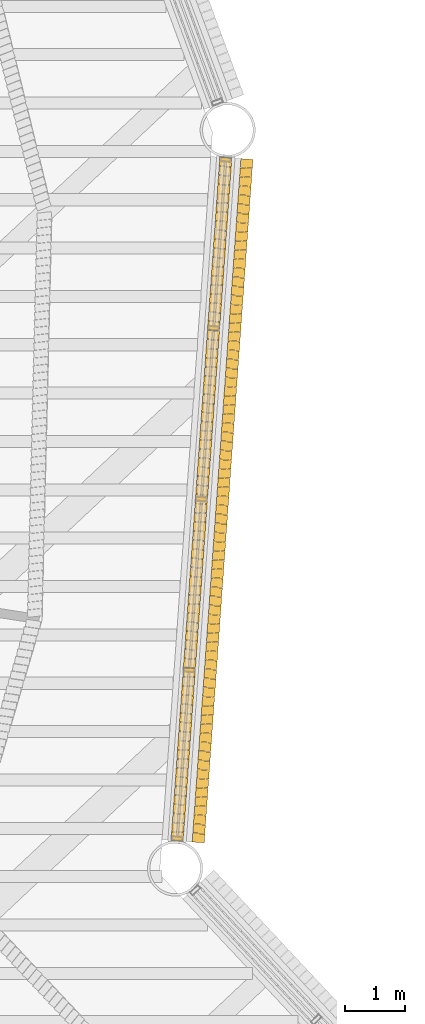
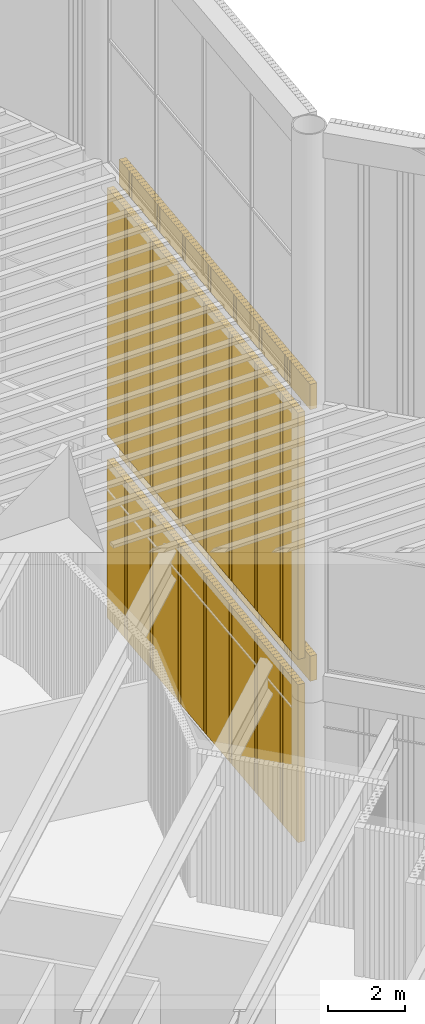
# One storey, part 112 of 117: 4 coverings.
"""IFC4 building model written with IfcOpenShell, lengths in metres."""

from ifc_helpers import new_model, si_unit, direction, frame, frame_2d, origin, place, context, subcontext, project, spatial, rectangle, composite_profile, extrude, material, type_object, element, save


model = new_model("IFC4")

# Units and contexts
model_context = context("Model", 3, precision=1e-05, world=origin(), true_north=direction((0.0, 1.0)))
body_context = subcontext(model_context, "Body", "Model", "MODEL_VIEW")
ifc_project = project(units=[si_unit("LENGTHUNIT", "METRE"), si_unit("AREAUNIT", "SQUARE_METRE"), si_unit("VOLUMEUNIT", "CUBIC_METRE"), si_unit("PLANEANGLEUNIT", "RADIAN"), si_unit("MASSUNIT", "GRAM", prefix="KILO")], contexts=[model_context])

# Site, building, storey
site_placement = place(None, origin())
site = spatial("IfcSite", under=ifc_project, at=site_placement, CompositionType="ELEMENT")
building_placement = place(site_placement, origin())
building = spatial("IfcBuilding", under=site, at=building_placement, Name="Tarsis Ring Headquarters", CompositionType="ELEMENT")
storey_placement = place(building_placement, frame((0.0, 0.0, 403.60009765625)))
storey = spatial("IfcBuildingStorey", under=building, at=storey_placement, Name="L95", CompositionType="ELEMENT", Elevation=403.60009765625)

# Coverings
ifc_material = material(Name="Terracotta louvre", Category="masonry")
covering_type = type_object("IfcCoveringType", Name="Crown louvre fin", PredefinedType="CLADDING", material=ifc_material)
covering_1_placement = place(storey_placement, frame((27.92041015625, -7.6728515625, 0.0), z_axis=(0.0, 0.0, 1.0), x_axis=(0.07114241406, 0.997458430258, 0.0)))
element("IfcCovering", 1, at=covering_1_placement, inside=storey, type_object=covering_type, Name="Crown louvre base 6", PredefinedType="CLADDING", context=body_context, shape_type="SweptSolid", body=[
    extrude(composite_profile([rectangle(XDim=0.14501953125, YDim=0.199951171875, at=frame_2d((0.072509765625, 0.0))), rectangle(XDim=0.14501953125, YDim=0.199951171875, at=frame_2d((0.2236328125, 0.0))), rectangle(XDim=0.14501953125, YDim=0.199951171875, at=frame_2d((0.375, 0.0))), rectangle(XDim=0.14501953125, YDim=0.199951171875, at=frame_2d((0.526123046875, 0.0))), rectangle(XDim=0.14501953125, YDim=0.199951171875, at=frame_2d((0.677490234375, 0.0))), rectangle(XDim=0.14501953125, YDim=0.199951171875, at=frame_2d((0.82861328125, 0.0))), rectangle(XDim=0.14501953125, YDim=0.199951171875, at=frame_2d((0.979736328125, 0.0))), rectangle(XDim=0.14501953125, YDim=0.199951171875, at=frame_2d((1.131103515625, 0.0))), rectangle(XDim=0.14501953125, YDim=0.199951171875, at=frame_2d((1.2822265625, 0.0))), rectangle(XDim=0.14501953125, YDim=0.199951171875, at=frame_2d((1.433349609375, 0.0))), rectangle(XDim=0.14501953125, YDim=0.199951171875, at=frame_2d((1.584716796875, 0.0))), rectangle(XDim=0.14501953125, YDim=0.199951171875, at=frame_2d((1.73583984375, 0.0))), rectangle(XDim=0.14501953125, YDim=0.199951171875, at=frame_2d((1.88720703125, 0.0))), rectangle(XDim=0.14501953125, YDim=0.199951171875, at=frame_2d((2.038330078125, 0.0))), rectangle(XDim=0.14501953125, YDim=0.199951171875, at=frame_2d((2.189453125, 0.0))), rectangle(XDim=0.14501953125, YDim=0.199951171875, at=frame_2d((2.3408203125, 0.0))), rectangle(XDim=0.14501953125, YDim=0.199951171875, at=frame_2d((2.491943359375, 0.0))), rectangle(XDim=0.14501953125, YDim=0.199951171875, at=frame_2d((2.64306640625, 0.0))), rectangle(XDim=0.14501953125, YDim=0.199951171875, at=frame_2d((2.79443359375, 0.0))), rectangle(XDim=0.14501953125, YDim=0.199951171875, at=frame_2d((2.945556640625, 0.0))), rectangle(XDim=0.14501953125, YDim=0.199951171875, at=frame_2d((3.096923828125, 0.0))), rectangle(XDim=0.14501953125, YDim=0.199951171875, at=frame_2d((3.248046875, 0.0))), rectangle(XDim=0.14501953125, YDim=0.199951171875, at=frame_2d((3.399169921875, 0.0))), rectangle(XDim=0.14501953125, YDim=0.199951171875, at=frame_2d((3.550537109375, 0.0))), rectangle(XDim=0.14501953125, YDim=0.199951171875, at=frame_2d((3.70166015625, 0.0))), rectangle(XDim=0.14501953125, YDim=0.199951171875, at=frame_2d((3.852783203125, 0.0))), rectangle(XDim=0.14501953125, YDim=0.199951171875, at=frame_2d((4.004150390625, 0.0))), rectangle(XDim=0.14501953125, YDim=0.199951171875, at=frame_2d((4.1552734375, 0.0))), rectangle(XDim=0.14501953125, YDim=0.199951171875, at=frame_2d((4.306640625, 0.0))), rectangle(XDim=0.14501953125, YDim=0.199951171875, at=frame_2d((4.457763671875, 0.0))), rectangle(XDim=0.14501953125, YDim=0.199951171875, at=frame_2d((4.60888671875, 0.0))), rectangle(XDim=0.14501953125, YDim=0.199951171875, at=frame_2d((4.76025390625, 0.0))), rectangle(XDim=0.14501953125, YDim=0.199951171875, at=frame_2d((4.911376953125, 0.0))), rectangle(XDim=0.14501953125, YDim=0.199951171875, at=frame_2d((5.0625, 0.0))), rectangle(XDim=0.14501953125, YDim=0.199951171875, at=frame_2d((5.2138671875, 0.0))), rectangle(XDim=0.14501953125, YDim=0.199951171875, at=frame_2d((5.364990234375, 0.0))), rectangle(XDim=0.14501953125, YDim=0.199951171875, at=frame_2d((5.516357421875, 0.0))), rectangle(XDim=0.14501953125, YDim=0.199951171875, at=frame_2d((5.66748046875, 0.0))), rectangle(XDim=0.14501953125, YDim=0.199951171875, at=frame_2d((5.818603515625, 0.0))), rectangle(XDim=0.14501953125, YDim=0.199951171875, at=frame_2d((5.969970703125, 0.0))), rectangle(XDim=0.14501953125, YDim=0.199951171875, at=frame_2d((6.12109375, 0.0))), rectangle(XDim=0.14501953125, YDim=0.199951171875, at=frame_2d((6.2724609375, 0.0))), rectangle(XDim=0.14501953125, YDim=0.199951171875, at=frame_2d((6.423583984375, 0.0))), rectangle(XDim=0.14501953125, YDim=0.199951171875, at=frame_2d((6.57470703125, 0.0))), rectangle(XDim=0.14501953125, YDim=0.199951171875, at=frame_2d((6.72607421875, 0.0))), rectangle(XDim=0.14501953125, YDim=0.199951171875, at=frame_2d((6.877197265625, 0.0))), rectangle(XDim=0.14501953125, YDim=0.199951171875, at=frame_2d((7.0283203125, 0.0))), rectangle(XDim=0.14501953125, YDim=0.199951171875, at=frame_2d((7.1796875, 0.0))), rectangle(XDim=0.14501953125, YDim=0.199951171875, at=frame_2d((7.330810546875, 0.0))), rectangle(XDim=0.14501953125, YDim=0.199951171875, at=frame_2d((7.482177734375, 0.0))), rectangle(XDim=0.14501953125, YDim=0.199951171875, at=frame_2d((7.63330078125, 0.0))), rectangle(XDim=0.14501953125, YDim=0.199951171875, at=frame_2d((7.784423828125, 0.0))), rectangle(XDim=0.14501953125, YDim=0.199951171875, at=frame_2d((7.935791015625, 0.0))), rectangle(XDim=0.14501953125, YDim=0.199951171875, at=frame_2d((8.0869140625, 0.0))), rectangle(XDim=0.14501953125, YDim=0.199951171875, at=frame_2d((8.238037109375, 0.0))), rectangle(XDim=0.14501953125, YDim=0.199951171875, at=frame_2d((8.389404296875, 0.0))), rectangle(XDim=0.14501953125, YDim=0.199951171875, at=frame_2d((8.54052734375, 0.0))), rectangle(XDim=0.14501953125, YDim=0.199951171875, at=frame_2d((8.69189453125, 0.0))), rectangle(XDim=0.14501953125, YDim=0.199951171875, at=frame_2d((8.843017578125, 0.0))), rectangle(XDim=0.14501953125, YDim=0.199951171875, at=frame_2d((8.994140625, 0.0))), rectangle(XDim=0.14501953125, YDim=0.199951171875, at=frame_2d((9.1455078125, 0.0))), rectangle(XDim=0.14501953125, YDim=0.199951171875, at=frame_2d((9.296630859375, 0.0))), rectangle(XDim=0.14501953125, YDim=0.199951171875, at=frame_2d((9.44775390625, 0.0))), rectangle(XDim=0.14501953125, YDim=0.199951171875, at=frame_2d((9.59912109375, 0.0))), rectangle(XDim=0.14501953125, YDim=0.199951171875, at=frame_2d((9.750244140625, 0.0))), rectangle(XDim=0.14501953125, YDim=0.199951171875, at=frame_2d((9.901611328125, 0.0))), rectangle(XDim=0.14501953125, YDim=0.199951171875, at=frame_2d((10.052734375, 0.0))), rectangle(XDim=0.14501953125, YDim=0.199951171875, at=frame_2d((10.203857421875, 0.0))), rectangle(XDim=0.14501953125, YDim=0.199951171875, at=frame_2d((10.355224609375, 0.0))), rectangle(XDim=0.14501953125, YDim=0.199951171875, at=frame_2d((10.50634765625, 0.0))), rectangle(XDim=0.14501953125, YDim=0.199951171875, at=frame_2d((10.657470703125, 0.0))), rectangle(XDim=0.14501953125, YDim=0.199951171875, at=frame_2d((10.808837890625, 0.0))), rectangle(XDim=0.14501953125, YDim=0.199951171875, at=frame_2d((10.9599609375, 0.0))), rectangle(XDim=0.14501953125, YDim=0.199951171875, at=frame_2d((11.111328125, 0.0))), rectangle(XDim=0.14501953125, YDim=0.199951171875, at=frame_2d((11.262451171875, 0.0)))]), origin(), (0.0, 0.0, 1.0), 5.0),
])
covering_2_placement = place(storey_placement, frame((28.26953125, -7.69775390625, 5.0), z_axis=(0.0, 0.0, 1.0), x_axis=(0.07114241406, 0.997458430258, 0.0)))
element("IfcCovering", 2, at=covering_2_placement, inside=storey, type_object=covering_type, Name="Crown louvre fascia R6", PredefinedType="CLADDING", context=body_context, shape_type="SweptSolid", body=[
    extrude(composite_profile([rectangle(XDim=0.14501953125, YDim=0.199951171875, at=frame_2d((0.072509765625, 0.0))), rectangle(XDim=0.14501953125, YDim=0.199951171875, at=frame_2d((0.2236328125, 0.0))), rectangle(XDim=0.14501953125, YDim=0.199951171875, at=frame_2d((0.375, 0.0))), rectangle(XDim=0.14501953125, YDim=0.199951171875, at=frame_2d((0.526123046875, 0.0))), rectangle(XDim=0.14501953125, YDim=0.199951171875, at=frame_2d((0.677490234375, 0.0))), rectangle(XDim=0.14501953125, YDim=0.199951171875, at=frame_2d((0.82861328125, 0.0))), rectangle(XDim=0.14501953125, YDim=0.199951171875, at=frame_2d((0.979736328125, 0.0))), rectangle(XDim=0.14501953125, YDim=0.199951171875, at=frame_2d((1.131103515625, 0.0))), rectangle(XDim=0.14501953125, YDim=0.199951171875, at=frame_2d((1.2822265625, 0.0))), rectangle(XDim=0.14501953125, YDim=0.199951171875, at=frame_2d((1.433349609375, 0.0))), rectangle(XDim=0.14501953125, YDim=0.199951171875, at=frame_2d((1.584716796875, 0.0))), rectangle(XDim=0.14501953125, YDim=0.199951171875, at=frame_2d((1.73583984375, 0.0))), rectangle(XDim=0.14501953125, YDim=0.199951171875, at=frame_2d((1.88720703125, 0.0))), rectangle(XDim=0.14501953125, YDim=0.199951171875, at=frame_2d((2.038330078125, 0.0))), rectangle(XDim=0.14501953125, YDim=0.199951171875, at=frame_2d((2.189453125, 0.0))), rectangle(XDim=0.14501953125, YDim=0.199951171875, at=frame_2d((2.3408203125, 0.0))), rectangle(XDim=0.14501953125, YDim=0.199951171875, at=frame_2d((2.491943359375, 0.0))), rectangle(XDim=0.14501953125, YDim=0.199951171875, at=frame_2d((2.64306640625, 0.0))), rectangle(XDim=0.14501953125, YDim=0.199951171875, at=frame_2d((2.79443359375, 0.0))), rectangle(XDim=0.14501953125, YDim=0.199951171875, at=frame_2d((2.945556640625, 0.0))), rectangle(XDim=0.14501953125, YDim=0.199951171875, at=frame_2d((3.096923828125, 0.0))), rectangle(XDim=0.14501953125, YDim=0.199951171875, at=frame_2d((3.248046875, 0.0))), rectangle(XDim=0.14501953125, YDim=0.199951171875, at=frame_2d((3.399169921875, 0.0))), rectangle(XDim=0.14501953125, YDim=0.199951171875, at=frame_2d((3.550537109375, 0.0))), rectangle(XDim=0.14501953125, YDim=0.199951171875, at=frame_2d((3.70166015625, 0.0))), rectangle(XDim=0.14501953125, YDim=0.199951171875, at=frame_2d((3.852783203125, 0.0))), rectangle(XDim=0.14501953125, YDim=0.199951171875, at=frame_2d((4.004150390625, 0.0))), rectangle(XDim=0.14501953125, YDim=0.199951171875, at=frame_2d((4.1552734375, 0.0))), rectangle(XDim=0.14501953125, YDim=0.199951171875, at=frame_2d((4.306640625, 0.0))), rectangle(XDim=0.14501953125, YDim=0.199951171875, at=frame_2d((4.457763671875, 0.0))), rectangle(XDim=0.14501953125, YDim=0.199951171875, at=frame_2d((4.60888671875, 0.0))), rectangle(XDim=0.14501953125, YDim=0.199951171875, at=frame_2d((4.76025390625, 0.0))), rectangle(XDim=0.14501953125, YDim=0.199951171875, at=frame_2d((4.911376953125, 0.0))), rectangle(XDim=0.14501953125, YDim=0.199951171875, at=frame_2d((5.0625, 0.0))), rectangle(XDim=0.14501953125, YDim=0.199951171875, at=frame_2d((5.2138671875, 0.0))), rectangle(XDim=0.14501953125, YDim=0.199951171875, at=frame_2d((5.364990234375, 0.0))), rectangle(XDim=0.14501953125, YDim=0.199951171875, at=frame_2d((5.516357421875, 0.0))), rectangle(XDim=0.14501953125, YDim=0.199951171875, at=frame_2d((5.66748046875, 0.0))), rectangle(XDim=0.14501953125, YDim=0.199951171875, at=frame_2d((5.818603515625, 0.0))), rectangle(XDim=0.14501953125, YDim=0.199951171875, at=frame_2d((5.969970703125, 0.0))), rectangle(XDim=0.14501953125, YDim=0.199951171875, at=frame_2d((6.12109375, 0.0))), rectangle(XDim=0.14501953125, YDim=0.199951171875, at=frame_2d((6.2724609375, 0.0))), rectangle(XDim=0.14501953125, YDim=0.199951171875, at=frame_2d((6.423583984375, 0.0))), rectangle(XDim=0.14501953125, YDim=0.199951171875, at=frame_2d((6.57470703125, 0.0))), rectangle(XDim=0.14501953125, YDim=0.199951171875, at=frame_2d((6.72607421875, 0.0))), rectangle(XDim=0.14501953125, YDim=0.199951171875, at=frame_2d((6.877197265625, 0.0))), rectangle(XDim=0.14501953125, YDim=0.199951171875, at=frame_2d((7.0283203125, 0.0))), rectangle(XDim=0.14501953125, YDim=0.199951171875, at=frame_2d((7.1796875, 0.0))), rectangle(XDim=0.14501953125, YDim=0.199951171875, at=frame_2d((7.330810546875, 0.0))), rectangle(XDim=0.14501953125, YDim=0.199951171875, at=frame_2d((7.482177734375, 0.0))), rectangle(XDim=0.14501953125, YDim=0.199951171875, at=frame_2d((7.63330078125, 0.0))), rectangle(XDim=0.14501953125, YDim=0.199951171875, at=frame_2d((7.784423828125, 0.0))), rectangle(XDim=0.14501953125, YDim=0.199951171875, at=frame_2d((7.935791015625, 0.0))), rectangle(XDim=0.14501953125, YDim=0.199951171875, at=frame_2d((8.0869140625, 0.0))), rectangle(XDim=0.14501953125, YDim=0.199951171875, at=frame_2d((8.238037109375, 0.0))), rectangle(XDim=0.14501953125, YDim=0.199951171875, at=frame_2d((8.389404296875, 0.0))), rectangle(XDim=0.14501953125, YDim=0.199951171875, at=frame_2d((8.54052734375, 0.0))), rectangle(XDim=0.14501953125, YDim=0.199951171875, at=frame_2d((8.69189453125, 0.0))), rectangle(XDim=0.14501953125, YDim=0.199951171875, at=frame_2d((8.843017578125, 0.0))), rectangle(XDim=0.14501953125, YDim=0.199951171875, at=frame_2d((8.994140625, 0.0))), rectangle(XDim=0.14501953125, YDim=0.199951171875, at=frame_2d((9.1455078125, 0.0))), rectangle(XDim=0.14501953125, YDim=0.199951171875, at=frame_2d((9.296630859375, 0.0))), rectangle(XDim=0.14501953125, YDim=0.199951171875, at=frame_2d((9.44775390625, 0.0))), rectangle(XDim=0.14501953125, YDim=0.199951171875, at=frame_2d((9.59912109375, 0.0))), rectangle(XDim=0.14501953125, YDim=0.199951171875, at=frame_2d((9.750244140625, 0.0))), rectangle(XDim=0.14501953125, YDim=0.199951171875, at=frame_2d((9.901611328125, 0.0))), rectangle(XDim=0.14501953125, YDim=0.199951171875, at=frame_2d((10.052734375, 0.0))), rectangle(XDim=0.14501953125, YDim=0.199951171875, at=frame_2d((10.203857421875, 0.0))), rectangle(XDim=0.14501953125, YDim=0.199951171875, at=frame_2d((10.355224609375, 0.0))), rectangle(XDim=0.14501953125, YDim=0.199951171875, at=frame_2d((10.50634765625, 0.0))), rectangle(XDim=0.14501953125, YDim=0.199951171875, at=frame_2d((10.657470703125, 0.0))), rectangle(XDim=0.14501953125, YDim=0.199951171875, at=frame_2d((10.808837890625, 0.0))), rectangle(XDim=0.14501953125, YDim=0.199951171875, at=frame_2d((10.9599609375, 0.0))), rectangle(XDim=0.14501953125, YDim=0.199951171875, at=frame_2d((11.111328125, 0.0))), rectangle(XDim=0.14501953125, YDim=0.199951171875, at=frame_2d((11.262451171875, 0.0)))]), origin(), (0.0, 0.0, 1.0), 0.7998046875),
])
covering_3_placement = place(storey_placement, frame((28.26953125, -7.69775390625, 13.599853515625), z_axis=(0.0, 0.0, 1.0), x_axis=(0.07114241406, 0.997458430258, 0.0)))
element("IfcCovering", 3, at=covering_3_placement, inside=storey, type_object=covering_type, Name="Crown louvre fascia M6", PredefinedType="CLADDING", context=body_context, shape_type="SweptSolid", body=[
    extrude(composite_profile([rectangle(XDim=0.14501953125, YDim=0.199951171875, at=frame_2d((0.072509765625, 0.0))), rectangle(XDim=0.14501953125, YDim=0.199951171875, at=frame_2d((0.2236328125, 0.0))), rectangle(XDim=0.14501953125, YDim=0.199951171875, at=frame_2d((0.375, 0.0))), rectangle(XDim=0.14501953125, YDim=0.199951171875, at=frame_2d((0.526123046875, 0.0))), rectangle(XDim=0.14501953125, YDim=0.199951171875, at=frame_2d((0.677490234375, 0.0))), rectangle(XDim=0.14501953125, YDim=0.199951171875, at=frame_2d((0.82861328125, 0.0))), rectangle(XDim=0.14501953125, YDim=0.199951171875, at=frame_2d((0.979736328125, 0.0))), rectangle(XDim=0.14501953125, YDim=0.199951171875, at=frame_2d((1.131103515625, 0.0))), rectangle(XDim=0.14501953125, YDim=0.199951171875, at=frame_2d((1.2822265625, 0.0))), rectangle(XDim=0.14501953125, YDim=0.199951171875, at=frame_2d((1.433349609375, 0.0))), rectangle(XDim=0.14501953125, YDim=0.199951171875, at=frame_2d((1.584716796875, 0.0))), rectangle(XDim=0.14501953125, YDim=0.199951171875, at=frame_2d((1.73583984375, 0.0))), rectangle(XDim=0.14501953125, YDim=0.199951171875, at=frame_2d((1.88720703125, 0.0))), rectangle(XDim=0.14501953125, YDim=0.199951171875, at=frame_2d((2.038330078125, 0.0))), rectangle(XDim=0.14501953125, YDim=0.199951171875, at=frame_2d((2.189453125, 0.0))), rectangle(XDim=0.14501953125, YDim=0.199951171875, at=frame_2d((2.3408203125, 0.0))), rectangle(XDim=0.14501953125, YDim=0.199951171875, at=frame_2d((2.491943359375, 0.0))), rectangle(XDim=0.14501953125, YDim=0.199951171875, at=frame_2d((2.64306640625, 0.0))), rectangle(XDim=0.14501953125, YDim=0.199951171875, at=frame_2d((2.79443359375, 0.0))), rectangle(XDim=0.14501953125, YDim=0.199951171875, at=frame_2d((2.945556640625, 0.0))), rectangle(XDim=0.14501953125, YDim=0.199951171875, at=frame_2d((3.096923828125, 0.0))), rectangle(XDim=0.14501953125, YDim=0.199951171875, at=frame_2d((3.248046875, 0.0))), rectangle(XDim=0.14501953125, YDim=0.199951171875, at=frame_2d((3.399169921875, 0.0))), rectangle(XDim=0.14501953125, YDim=0.199951171875, at=frame_2d((3.550537109375, 0.0))), rectangle(XDim=0.14501953125, YDim=0.199951171875, at=frame_2d((3.70166015625, 0.0))), rectangle(XDim=0.14501953125, YDim=0.199951171875, at=frame_2d((3.852783203125, 0.0))), rectangle(XDim=0.14501953125, YDim=0.199951171875, at=frame_2d((4.004150390625, 0.0))), rectangle(XDim=0.14501953125, YDim=0.199951171875, at=frame_2d((4.1552734375, 0.0))), rectangle(XDim=0.14501953125, YDim=0.199951171875, at=frame_2d((4.306640625, 0.0))), rectangle(XDim=0.14501953125, YDim=0.199951171875, at=frame_2d((4.457763671875, 0.0))), rectangle(XDim=0.14501953125, YDim=0.199951171875, at=frame_2d((4.60888671875, 0.0))), rectangle(XDim=0.14501953125, YDim=0.199951171875, at=frame_2d((4.76025390625, 0.0))), rectangle(XDim=0.14501953125, YDim=0.199951171875, at=frame_2d((4.911376953125, 0.0))), rectangle(XDim=0.14501953125, YDim=0.199951171875, at=frame_2d((5.0625, 0.0))), rectangle(XDim=0.14501953125, YDim=0.199951171875, at=frame_2d((5.2138671875, 0.0))), rectangle(XDim=0.14501953125, YDim=0.199951171875, at=frame_2d((5.364990234375, 0.0))), rectangle(XDim=0.14501953125, YDim=0.199951171875, at=frame_2d((5.516357421875, 0.0))), rectangle(XDim=0.14501953125, YDim=0.199951171875, at=frame_2d((5.66748046875, 0.0))), rectangle(XDim=0.14501953125, YDim=0.199951171875, at=frame_2d((5.818603515625, 0.0))), rectangle(XDim=0.14501953125, YDim=0.199951171875, at=frame_2d((5.969970703125, 0.0))), rectangle(XDim=0.14501953125, YDim=0.199951171875, at=frame_2d((6.12109375, 0.0))), rectangle(XDim=0.14501953125, YDim=0.199951171875, at=frame_2d((6.2724609375, 0.0))), rectangle(XDim=0.14501953125, YDim=0.199951171875, at=frame_2d((6.423583984375, 0.0))), rectangle(XDim=0.14501953125, YDim=0.199951171875, at=frame_2d((6.57470703125, 0.0))), rectangle(XDim=0.14501953125, YDim=0.199951171875, at=frame_2d((6.72607421875, 0.0))), rectangle(XDim=0.14501953125, YDim=0.199951171875, at=frame_2d((6.877197265625, 0.0))), rectangle(XDim=0.14501953125, YDim=0.199951171875, at=frame_2d((7.0283203125, 0.0))), rectangle(XDim=0.14501953125, YDim=0.199951171875, at=frame_2d((7.1796875, 0.0))), rectangle(XDim=0.14501953125, YDim=0.199951171875, at=frame_2d((7.330810546875, 0.0))), rectangle(XDim=0.14501953125, YDim=0.199951171875, at=frame_2d((7.482177734375, 0.0))), rectangle(XDim=0.14501953125, YDim=0.199951171875, at=frame_2d((7.63330078125, 0.0))), rectangle(XDim=0.14501953125, YDim=0.199951171875, at=frame_2d((7.784423828125, 0.0))), rectangle(XDim=0.14501953125, YDim=0.199951171875, at=frame_2d((7.935791015625, 0.0))), rectangle(XDim=0.14501953125, YDim=0.199951171875, at=frame_2d((8.0869140625, 0.0))), rectangle(XDim=0.14501953125, YDim=0.199951171875, at=frame_2d((8.238037109375, 0.0))), rectangle(XDim=0.14501953125, YDim=0.199951171875, at=frame_2d((8.389404296875, 0.0))), rectangle(XDim=0.14501953125, YDim=0.199951171875, at=frame_2d((8.54052734375, 0.0))), rectangle(XDim=0.14501953125, YDim=0.199951171875, at=frame_2d((8.69189453125, 0.0))), rectangle(XDim=0.14501953125, YDim=0.199951171875, at=frame_2d((8.843017578125, 0.0))), rectangle(XDim=0.14501953125, YDim=0.199951171875, at=frame_2d((8.994140625, 0.0))), rectangle(XDim=0.14501953125, YDim=0.199951171875, at=frame_2d((9.1455078125, 0.0))), rectangle(XDim=0.14501953125, YDim=0.199951171875, at=frame_2d((9.296630859375, 0.0))), rectangle(XDim=0.14501953125, YDim=0.199951171875, at=frame_2d((9.44775390625, 0.0))), rectangle(XDim=0.14501953125, YDim=0.199951171875, at=frame_2d((9.59912109375, 0.0))), rectangle(XDim=0.14501953125, YDim=0.199951171875, at=frame_2d((9.750244140625, 0.0))), rectangle(XDim=0.14501953125, YDim=0.199951171875, at=frame_2d((9.901611328125, 0.0))), rectangle(XDim=0.14501953125, YDim=0.199951171875, at=frame_2d((10.052734375, 0.0))), rectangle(XDim=0.14501953125, YDim=0.199951171875, at=frame_2d((10.203857421875, 0.0))), rectangle(XDim=0.14501953125, YDim=0.199951171875, at=frame_2d((10.355224609375, 0.0))), rectangle(XDim=0.14501953125, YDim=0.199951171875, at=frame_2d((10.50634765625, 0.0))), rectangle(XDim=0.14501953125, YDim=0.199951171875, at=frame_2d((10.657470703125, 0.0))), rectangle(XDim=0.14501953125, YDim=0.199951171875, at=frame_2d((10.808837890625, 0.0))), rectangle(XDim=0.14501953125, YDim=0.199951171875, at=frame_2d((10.9599609375, 0.0))), rectangle(XDim=0.14501953125, YDim=0.199951171875, at=frame_2d((11.111328125, 0.0))), rectangle(XDim=0.14501953125, YDim=0.199951171875, at=frame_2d((11.262451171875, 0.0)))]), origin(), (0.0, 0.0, 1.0), 0.800048828125),
])
covering_4_placement = place(storey_placement, frame((27.92041015625, -7.6728515625, 5.7998046875), z_axis=(0.0, 0.0, 1.0), x_axis=(0.07114241406, 0.997458430258, 0.0)))
element("IfcCovering", 4, at=covering_4_placement, inside=storey, type_object=covering_type, Name="Crown louvre L6", PredefinedType="CLADDING", context=body_context, shape_type="SweptSolid", body=[
    extrude(composite_profile([rectangle(XDim=0.14501953125, YDim=0.199951171875, at=frame_2d((0.072509765625, 0.0))), rectangle(XDim=0.14501953125, YDim=0.199951171875, at=frame_2d((0.2236328125, 0.0))), rectangle(XDim=0.14501953125, YDim=0.199951171875, at=frame_2d((0.375, 0.0))), rectangle(XDim=0.14501953125, YDim=0.199951171875, at=frame_2d((0.526123046875, 0.0))), rectangle(XDim=0.14501953125, YDim=0.199951171875, at=frame_2d((0.677490234375, 0.0))), rectangle(XDim=0.14501953125, YDim=0.199951171875, at=frame_2d((0.82861328125, 0.0))), rectangle(XDim=0.14501953125, YDim=0.199951171875, at=frame_2d((0.979736328125, 0.0))), rectangle(XDim=0.14501953125, YDim=0.199951171875, at=frame_2d((1.131103515625, 0.0))), rectangle(XDim=0.14501953125, YDim=0.199951171875, at=frame_2d((1.2822265625, 0.0))), rectangle(XDim=0.14501953125, YDim=0.199951171875, at=frame_2d((1.433349609375, 0.0))), rectangle(XDim=0.14501953125, YDim=0.199951171875, at=frame_2d((1.584716796875, 0.0))), rectangle(XDim=0.14501953125, YDim=0.199951171875, at=frame_2d((1.73583984375, 0.0))), rectangle(XDim=0.14501953125, YDim=0.199951171875, at=frame_2d((1.88720703125, 0.0))), rectangle(XDim=0.14501953125, YDim=0.199951171875, at=frame_2d((2.038330078125, 0.0))), rectangle(XDim=0.14501953125, YDim=0.199951171875, at=frame_2d((2.189453125, 0.0))), rectangle(XDim=0.14501953125, YDim=0.199951171875, at=frame_2d((2.3408203125, 0.0))), rectangle(XDim=0.14501953125, YDim=0.199951171875, at=frame_2d((2.491943359375, 0.0))), rectangle(XDim=0.14501953125, YDim=0.199951171875, at=frame_2d((2.64306640625, 0.0))), rectangle(XDim=0.14501953125, YDim=0.199951171875, at=frame_2d((2.79443359375, 0.0))), rectangle(XDim=0.14501953125, YDim=0.199951171875, at=frame_2d((2.945556640625, 0.0))), rectangle(XDim=0.14501953125, YDim=0.199951171875, at=frame_2d((3.096923828125, 0.0))), rectangle(XDim=0.14501953125, YDim=0.199951171875, at=frame_2d((3.248046875, 0.0))), rectangle(XDim=0.14501953125, YDim=0.199951171875, at=frame_2d((3.399169921875, 0.0))), rectangle(XDim=0.14501953125, YDim=0.199951171875, at=frame_2d((3.550537109375, 0.0))), rectangle(XDim=0.14501953125, YDim=0.199951171875, at=frame_2d((3.70166015625, 0.0))), rectangle(XDim=0.14501953125, YDim=0.199951171875, at=frame_2d((3.852783203125, 0.0))), rectangle(XDim=0.14501953125, YDim=0.199951171875, at=frame_2d((4.004150390625, 0.0))), rectangle(XDim=0.14501953125, YDim=0.199951171875, at=frame_2d((4.1552734375, 0.0))), rectangle(XDim=0.14501953125, YDim=0.199951171875, at=frame_2d((4.306640625, 0.0))), rectangle(XDim=0.14501953125, YDim=0.199951171875, at=frame_2d((4.457763671875, 0.0))), rectangle(XDim=0.14501953125, YDim=0.199951171875, at=frame_2d((4.60888671875, 0.0))), rectangle(XDim=0.14501953125, YDim=0.199951171875, at=frame_2d((4.76025390625, 0.0))), rectangle(XDim=0.14501953125, YDim=0.199951171875, at=frame_2d((4.911376953125, 0.0))), rectangle(XDim=0.14501953125, YDim=0.199951171875, at=frame_2d((5.0625, 0.0))), rectangle(XDim=0.14501953125, YDim=0.199951171875, at=frame_2d((5.2138671875, 0.0))), rectangle(XDim=0.14501953125, YDim=0.199951171875, at=frame_2d((5.364990234375, 0.0))), rectangle(XDim=0.14501953125, YDim=0.199951171875, at=frame_2d((5.516357421875, 0.0))), rectangle(XDim=0.14501953125, YDim=0.199951171875, at=frame_2d((5.66748046875, 0.0))), rectangle(XDim=0.14501953125, YDim=0.199951171875, at=frame_2d((5.818603515625, 0.0))), rectangle(XDim=0.14501953125, YDim=0.199951171875, at=frame_2d((5.969970703125, 0.0))), rectangle(XDim=0.14501953125, YDim=0.199951171875, at=frame_2d((6.12109375, 0.0))), rectangle(XDim=0.14501953125, YDim=0.199951171875, at=frame_2d((6.2724609375, 0.0))), rectangle(XDim=0.14501953125, YDim=0.199951171875, at=frame_2d((6.423583984375, 0.0))), rectangle(XDim=0.14501953125, YDim=0.199951171875, at=frame_2d((6.57470703125, 0.0))), rectangle(XDim=0.14501953125, YDim=0.199951171875, at=frame_2d((6.72607421875, 0.0))), rectangle(XDim=0.14501953125, YDim=0.199951171875, at=frame_2d((6.877197265625, 0.0))), rectangle(XDim=0.14501953125, YDim=0.199951171875, at=frame_2d((7.0283203125, 0.0))), rectangle(XDim=0.14501953125, YDim=0.199951171875, at=frame_2d((7.1796875, 0.0))), rectangle(XDim=0.14501953125, YDim=0.199951171875, at=frame_2d((7.330810546875, 0.0))), rectangle(XDim=0.14501953125, YDim=0.199951171875, at=frame_2d((7.482177734375, 0.0))), rectangle(XDim=0.14501953125, YDim=0.199951171875, at=frame_2d((7.63330078125, 0.0))), rectangle(XDim=0.14501953125, YDim=0.199951171875, at=frame_2d((7.784423828125, 0.0))), rectangle(XDim=0.14501953125, YDim=0.199951171875, at=frame_2d((7.935791015625, 0.0))), rectangle(XDim=0.14501953125, YDim=0.199951171875, at=frame_2d((8.0869140625, 0.0))), rectangle(XDim=0.14501953125, YDim=0.199951171875, at=frame_2d((8.238037109375, 0.0))), rectangle(XDim=0.14501953125, YDim=0.199951171875, at=frame_2d((8.389404296875, 0.0))), rectangle(XDim=0.14501953125, YDim=0.199951171875, at=frame_2d((8.54052734375, 0.0))), rectangle(XDim=0.14501953125, YDim=0.199951171875, at=frame_2d((8.69189453125, 0.0))), rectangle(XDim=0.14501953125, YDim=0.199951171875, at=frame_2d((8.843017578125, 0.0))), rectangle(XDim=0.14501953125, YDim=0.199951171875, at=frame_2d((8.994140625, 0.0))), rectangle(XDim=0.14501953125, YDim=0.199951171875, at=frame_2d((9.1455078125, 0.0))), rectangle(XDim=0.14501953125, YDim=0.199951171875, at=frame_2d((9.296630859375, 0.0))), rectangle(XDim=0.14501953125, YDim=0.199951171875, at=frame_2d((9.44775390625, 0.0))), rectangle(XDim=0.14501953125, YDim=0.199951171875, at=frame_2d((9.59912109375, 0.0))), rectangle(XDim=0.14501953125, YDim=0.199951171875, at=frame_2d((9.750244140625, 0.0))), rectangle(XDim=0.14501953125, YDim=0.199951171875, at=frame_2d((9.901611328125, 0.0))), rectangle(XDim=0.14501953125, YDim=0.199951171875, at=frame_2d((10.052734375, 0.0))), rectangle(XDim=0.14501953125, YDim=0.199951171875, at=frame_2d((10.203857421875, 0.0))), rectangle(XDim=0.14501953125, YDim=0.199951171875, at=frame_2d((10.355224609375, 0.0))), rectangle(XDim=0.14501953125, YDim=0.199951171875, at=frame_2d((10.50634765625, 0.0))), rectangle(XDim=0.14501953125, YDim=0.199951171875, at=frame_2d((10.657470703125, 0.0))), rectangle(XDim=0.14501953125, YDim=0.199951171875, at=frame_2d((10.808837890625, 0.0))), rectangle(XDim=0.14501953125, YDim=0.199951171875, at=frame_2d((10.9599609375, 0.0))), rectangle(XDim=0.14501953125, YDim=0.199951171875, at=frame_2d((11.111328125, 0.0))), rectangle(XDim=0.14501953125, YDim=0.199951171875, at=frame_2d((11.262451171875, 0.0)))]), origin(), (0.0, 0.0, 1.0), 7.800048828125),
])

save(model, "model.ifc")
